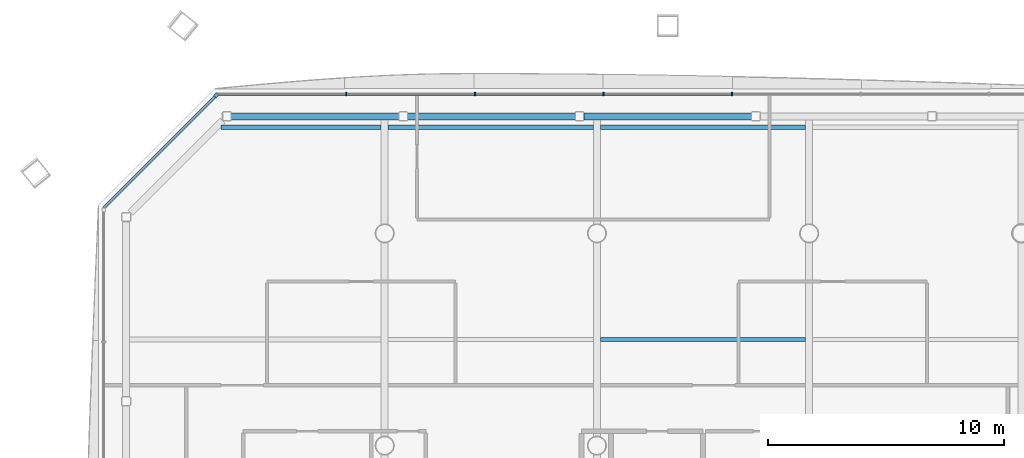
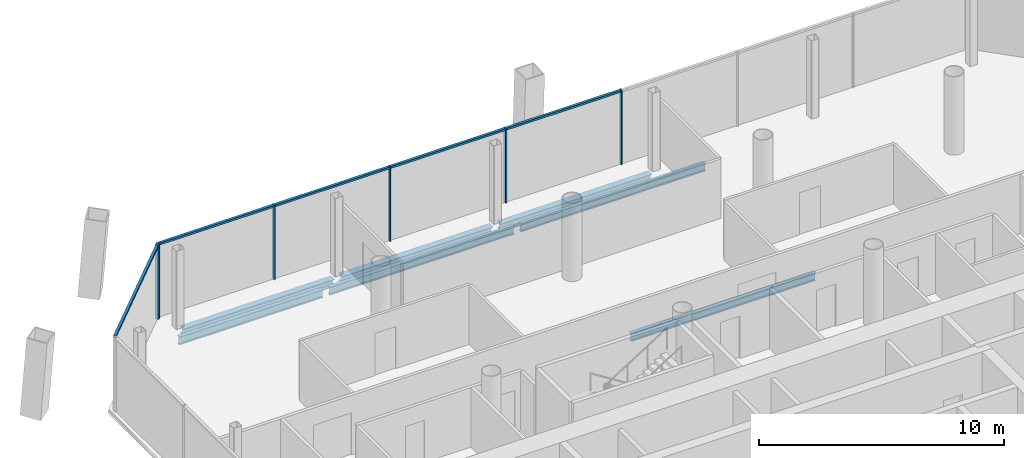
# One storey, part 8 of 19: 10 members, 7 beams, 2 elements without a shape of their own.
"""IFC4 building model written with IfcOpenShell, lengths in metres."""

from ifc_helpers import new_model, si_unit, direction, frame, origin, origin_2d, place, context, subcontext, project, spatial, rectangle, i_section, extrude, material, material_profile, profile_set, type_object, element, aggregate, save


model = new_model("IFC4")

# Units and contexts
model_context = context("Model", 3, precision=1e-05, world=origin(), true_north=direction((0.0, 1.0)))
body_context = subcontext(model_context, "Body", "Model", "MODEL_VIEW")
ifc_project = project(units=[si_unit("LENGTHUNIT", "METRE"), si_unit("AREAUNIT", "SQUARE_METRE"), si_unit("VOLUMEUNIT", "CUBIC_METRE"), si_unit("PLANEANGLEUNIT", "RADIAN"), si_unit("MASSUNIT", "GRAM", prefix="KILO")], contexts=[model_context])

# Site, building, storey
site_placement = place(None, origin())
site = spatial("IfcSite", under=ifc_project, at=site_placement, CompositionType="ELEMENT")
building_placement = place(site_placement, origin())
building = spatial("IfcBuilding", under=site, at=building_placement, Name="Tskaro Facet Tower", CompositionType="ELEMENT")
storey_placement = place(building_placement, frame((0.0, 0.0, 101.10009765625)))
storey = spatial("IfcBuildingStorey", under=building, at=storey_placement, Name="L24", CompositionType="ELEMENT", Elevation=101.10009765625)

# Curtain wall, member
ifc_material_1 = material(Name="Bronze anodised aluminium 6063-T6", Category="aluminium")
curtain_wall_type = type_object("IfcCurtainWallType", Name="Bronze office curtain wall (FW1)", PredefinedType="NOTDEFINED", material=ifc_material_1)
curtain_wall_1_placement = place(storey_placement, origin())
curtain_wall_1 = element("IfcCurtainWall", 1, at=curtain_wall_1_placement, inside=storey, type_object=curtain_wall_type, Name="FW1 north-west facet L24", PredefinedType="NOTDEFINED")
ifc_material_profile_1 = material_profile(ifc_material_1, rectangle(XDim=0.159912109375, YDim=0.159912109375, at=origin_2d()), Name="Corner post 160x160")
ifc_profile_set_1 = profile_set([ifc_material_profile_1], Name="Bronze anodised aluminium 6063-T6")
member_type_1 = type_object("IfcMemberType", Name="FW1 bronze corner post 160x160", PredefinedType="MULLION", material=ifc_profile_set_1)
member_1_placement = place(storey_placement, frame((-16.1396484375, 23.8583984375, 0.0), z_axis=(0.0, 0.0, 1.0), x_axis=(-0.707106781187, -0.707106781187, 0.0)))
member_1 = element("IfcMember", 2, at=member_1_placement, type_object=member_type_1, Name="FW1 north-west corner post", PredefinedType="MULLION", context=body_context, shape_type="SweptSolid", body=[
    extrude(rectangle(XDim=0.159912109375, YDim=0.159912109375, at=origin_2d()), origin(), (0.0, 0.0, 1.0), 3.699951171875),
])

# Curtain wall, members
curtain_wall_2_placement = place(storey_placement, origin())
curtain_wall_2 = element("IfcCurtainWall", 3, at=curtain_wall_2_placement, inside=storey, type_object=curtain_wall_type, Name="FW1 north facet L24", PredefinedType="NOTDEFINED")
ifc_material_profile_2 = material_profile(ifc_material_1, rectangle(XDim=0.06005859375, YDim=0.159912109375, at=origin_2d()), Name="Mullion 60x160")
ifc_profile_set_2 = profile_set([ifc_material_profile_2], Name="Bronze anodised aluminium 6063-T6")
member_type_2 = type_object("IfcMemberType", Name="FW1 bronze mullion 60x160", PredefinedType="MULLION", material=ifc_profile_set_2)
member_2_placement = place(storey_placement, frame((5.72607421875, 23.9150390625, 0.0), z_axis=(0.0, 0.0, 1.0), x_axis=(-1.0, 0.0, 0.0)))
member_2 = element("IfcMember", 4, at=member_2_placement, type_object=member_type_2, Name="FW1 north mullion 3", PredefinedType="MULLION", context=body_context, shape_type="SweptSolid", body=[
    extrude(rectangle(XDim=0.06005859375, YDim=0.159912109375, at=origin_2d()), origin(), (0.0, 0.0, 1.0), 3.699951171875),
])
member_3_placement = place(storey_placement, frame((0.27392578125, 23.9150390625, 0.0), z_axis=(0.0, 0.0, 1.0), x_axis=(-1.0, 0.0, 0.0)))
member_3 = element("IfcMember", 5, at=member_3_placement, type_object=member_type_2, Name="FW1 north mullion 4", PredefinedType="MULLION", context=body_context, shape_type="SweptSolid", body=[
    extrude(rectangle(XDim=0.06005859375, YDim=0.159912109375, at=origin_2d()), origin(), (0.0, 0.0, 1.0), 3.699951171875),
])
member_4_placement = place(storey_placement, frame((-5.178466796875, 23.9150390625, 0.0), z_axis=(0.0, 0.0, 1.0), x_axis=(-1.0, 0.0, 0.0)))
member_4 = element("IfcMember", 6, at=member_4_placement, type_object=member_type_2, Name="FW1 north mullion 5", PredefinedType="MULLION", context=body_context, shape_type="SweptSolid", body=[
    extrude(rectangle(XDim=0.06005859375, YDim=0.159912109375, at=origin_2d()), origin(), (0.0, 0.0, 1.0), 3.699951171875),
])
member_5_placement = place(storey_placement, frame((-10.630615234375, 23.9150390625, 0.0), z_axis=(0.0, 0.0, 1.0), x_axis=(-1.0, 0.0, 0.0)))
member_5 = element("IfcMember", 7, at=member_5_placement, type_object=member_type_2, Name="FW1 north mullion 6", PredefinedType="MULLION", context=body_context, shape_type="SweptSolid", body=[
    extrude(rectangle(XDim=0.06005859375, YDim=0.159912109375, at=origin_2d()), origin(), (0.0, 0.0, 1.0), 3.699951171875),
])
ifc_material_profile_3 = material_profile(ifc_material_1, rectangle(XDim=0.1201171875, YDim=0.10009765625, at=origin_2d()), Name="Transom 120x100")
ifc_profile_set_3 = profile_set([ifc_material_profile_3], Name="Bronze anodised aluminium 6063-T6")
member_type_3 = type_object("IfcMemberType", Name="FW1 bronze transom 120x100", PredefinedType="USERDEFINED", material=ifc_profile_set_3)
member_6_placement = place(storey_placement, frame((5.696044921875, 23.9150390625, 3.64990234375), z_axis=(-1.0, 0.0, 0.0), x_axis=(0.0, -1.0, 0.0)))
member_6 = element("IfcMember", 8, at=member_6_placement, type_object=member_type_3, Name="FW1 north transom 4.1", ObjectType="TRANSOM", PredefinedType="USERDEFINED", context=body_context, shape_type="SweptSolid", body=[
    extrude(rectangle(XDim=0.1201171875, YDim=0.10009765625, at=origin_2d()), origin(), (0.0, 0.0, 1.0), 5.39208984375),
])
member_7_placement = place(storey_placement, frame((0.243896484375, 23.9150390625, 3.64990234375), z_axis=(-1.0, 0.0, 0.0), x_axis=(0.0, -1.0, 0.0)))
member_7 = element("IfcMember", 9, at=member_7_placement, type_object=member_type_3, Name="FW1 north transom 5.1", ObjectType="TRANSOM", PredefinedType="USERDEFINED", context=body_context, shape_type="SweptSolid", body=[
    extrude(rectangle(XDim=0.1201171875, YDim=0.10009765625, at=origin_2d()), origin(), (0.0, 0.0, 1.0), 5.392333984375),
])
member_8_placement = place(storey_placement, frame((-5.20849609375, 23.9150390625, 3.64990234375), z_axis=(-1.0, 0.0, 0.0), x_axis=(0.0, -1.0, 0.0)))
member_8 = element("IfcMember", 10, at=member_8_placement, type_object=member_type_3, Name="FW1 north transom 6.1", ObjectType="TRANSOM", PredefinedType="USERDEFINED", context=body_context, shape_type="SweptSolid", body=[
    extrude(rectangle(XDim=0.1201171875, YDim=0.10009765625, at=origin_2d()), origin(), (0.0, 0.0, 1.0), 5.392333984375),
])
member_9_placement = place(storey_placement, frame((-10.66064453125, 23.9150390625, 3.64990234375), z_axis=(-1.0, 0.0, 0.0), x_axis=(0.0, -1.0, 0.0)))
member_9 = element("IfcMember", 11, at=member_9_placement, type_object=member_type_3, Name="FW1 north transom 7.1", ObjectType="TRANSOM", PredefinedType="USERDEFINED", context=body_context, shape_type="SweptSolid", body=[
    extrude(rectangle(XDim=0.1201171875, YDim=0.10009765625, at=origin_2d()), origin(), (0.0, 0.0, 1.0), 5.42236328125),
])
aggregate(curtain_wall_2, [member_2, member_3, member_4, member_5, member_6, member_7, member_8, member_9])

# Member
member_10_placement = place(storey_placement, frame((-16.196044921875, 23.8017578125, 3.64990234375), z_axis=(-0.707125072767, -0.707088489133, 0.0), x_axis=(0.707088489133, -0.707125072767, 0.0)))
member_10 = element("IfcMember", 12, at=member_10_placement, type_object=member_type_3, Name="FW1 north-west transom 1.1", ObjectType="TRANSOM", PredefinedType="USERDEFINED", context=body_context, shape_type="SweptSolid", body=[
    extrude(rectangle(XDim=0.1201171875, YDim=0.10009765625, at=origin_2d()), origin(), (0.0, 0.0, 1.0), 6.673583984375),
])

aggregate(curtain_wall_1, [member_1, member_10])

# Beams
ifc_material_2 = material(Name="Steel S355J2", Category="steel")
ifc_material_profile_4 = material_profile(ifc_material_2, i_section(OverallWidth=0.300048828125, OverallDepth=0.360107421875, WebThickness=0.012451171875, FlangeThickness=0.0224609375, FilletRadius=0.027099609375, at=origin_2d()), Name="HE 360 B")
ifc_profile_set_4 = profile_set([ifc_material_profile_4], Name="Steel S355J2")
beam_type_1 = type_object("IfcBeamType", Name="HE 360 B ring beam", PredefinedType="BEAM", material=ifc_profile_set_4)
beam_1_placement = place(storey_placement, frame((6.55810546875, 22.965087890625, -0.320068359375), z_axis=(-1.0, 0.0, 0.0), x_axis=(0.0, -1.0, 0.0)))
element("IfcBeam", 13, at=beam_1_placement, inside=storey, type_object=beam_type_1, Name="HE 360 B EB15-2", PredefinedType="BEAM", context=body_context, shape_type="SweptSolid", body=[
    extrude(i_section(OverallWidth=0.300048828125, OverallDepth=0.360107421875, WebThickness=0.012451171875, FlangeThickness=0.0224609375, FilletRadius=0.027099609375, at=origin_2d()), origin(), (0.0, 0.0, 1.0), 7.1162109375),
])
for number, where, z_axis, x_axis, name in (
    (14, (-0.91796875, 22.965087890625, -0.320068359375), (-1.0, 0.0, 0.0), (0.0, -1.0, 0.0), "HE 360 B EB16-2"),
    (15, (-8.39404296875, 22.965087890625, -0.320068359375), (-1.0, 0.0, 0.0), (0.0, -1.0, 0.0), "HE 360 B EB17-2"),
):
    element("IfcBeam", number, at=place(storey_placement, frame(where, z_axis=z_axis, x_axis=x_axis)), inside=storey, type_object=beam_type_1, Name=name, PredefinedType="BEAM", context=body_context, shape_type="SweptSolid", body=[
        extrude(i_section(OverallWidth=0.300048828125, OverallDepth=0.360107421875, WebThickness=0.012451171875, FlangeThickness=0.0224609375, FilletRadius=0.027099609375, at=origin_2d()), origin(), (0.0, 0.0, 1.0), 7.115966796875),
    ])
ifc_material_profile_5 = material_profile(ifc_material_2, i_section(OverallWidth=0.179931640625, OverallDepth=0.39990234375, WebThickness=0.008544921875, FlangeThickness=0.013427734375, FilletRadius=0.02099609375, at=origin_2d()), Name="IPE 400")
ifc_profile_set_5 = profile_set([ifc_material_profile_5], Name="Steel S355J2")
beam_type_2 = type_object("IfcBeamType", Name="IPE 400 secondary beam", PredefinedType="BEAM", material=ifc_profile_set_5)
beam_2_placement = place(storey_placement, frame((0.14990234375, 13.5, -0.340087890625), z_axis=(1.0, 0.0, 0.0), x_axis=(0.0, 1.0, 0.0)))
element("IfcBeam", 16, at=beam_2_placement, inside=storey, type_object=beam_type_2, Name="IPE 400 SB5a-3-2", PredefinedType="BEAM", context=body_context, shape_type="SweptSolid", body=[
    extrude(i_section(OverallWidth=0.179931640625, OverallDepth=0.39990234375, WebThickness=0.008544921875, FlangeThickness=0.013427734375, FilletRadius=0.02099609375, at=origin_2d()), origin(), (0.0, 0.0, 1.0), 8.7001953125),
])
beam_3_placement = place(storey_placement, frame((-15.943115234375, 22.5, -0.340087890625), z_axis=(1.0, 0.0, 0.0), x_axis=(0.0, 1.0, 0.0)))
element("IfcBeam", 17, at=beam_3_placement, inside=storey, type_object=beam_type_2, Name="IPE 400 SB6a-1-2", PredefinedType="BEAM", context=body_context, shape_type="SweptSolid", body=[
    extrude(i_section(OverallWidth=0.179931640625, OverallDepth=0.39990234375, WebThickness=0.008544921875, FlangeThickness=0.013427734375, FilletRadius=0.02099609375, at=origin_2d()), origin(), (0.0, 0.0, 1.0), 6.793212890625),
])
for number, where, z_axis, x_axis, name in (
    (18, (-8.85009765625, 22.5, -0.340087890625), (1.0, 0.0, 0.0), (0.0, 1.0, 0.0), "IPE 400 SB6a-2-2"),
    (19, (0.14990234375, 22.5, -0.340087890625), (1.0, 0.0, 0.0), (0.0, 1.0, 0.0), "IPE 400 SB6a-3-2"),
):
    element("IfcBeam", number, at=place(storey_placement, frame(where, z_axis=z_axis, x_axis=x_axis)), inside=storey, type_object=beam_type_2, Name=name, PredefinedType="BEAM", context=body_context, shape_type="SweptSolid", body=[
        extrude(i_section(OverallWidth=0.179931640625, OverallDepth=0.39990234375, WebThickness=0.008544921875, FlangeThickness=0.013427734375, FilletRadius=0.02099609375, at=origin_2d()), origin(), (0.0, 0.0, 1.0), 8.7001953125),
    ])

save(model, "model.ifc")
